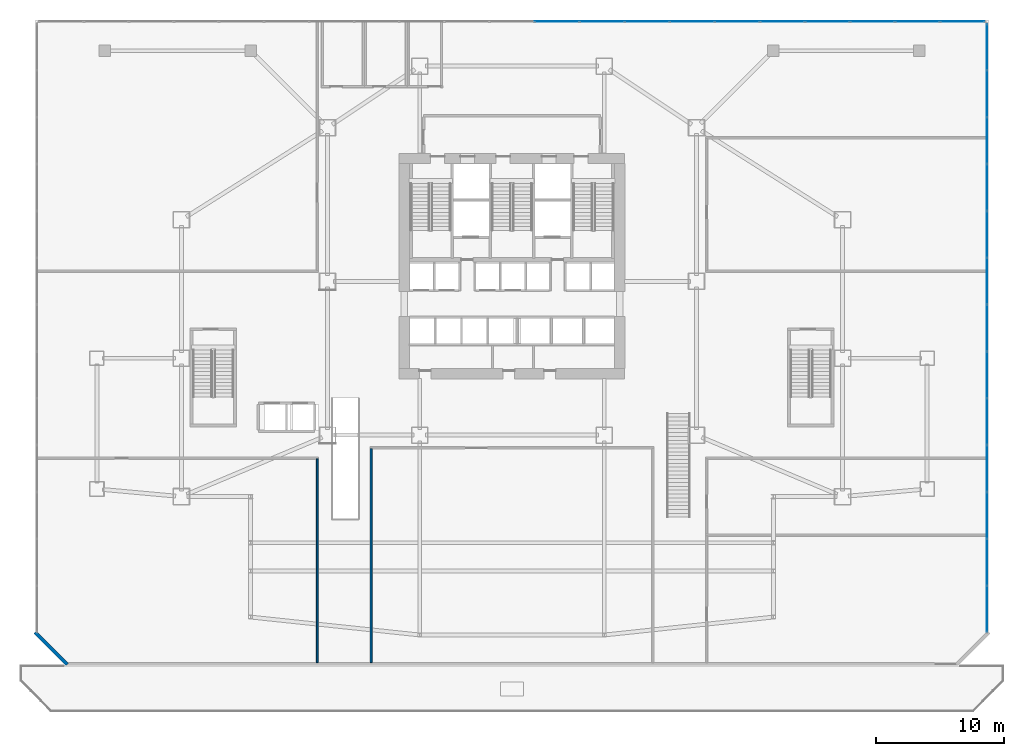
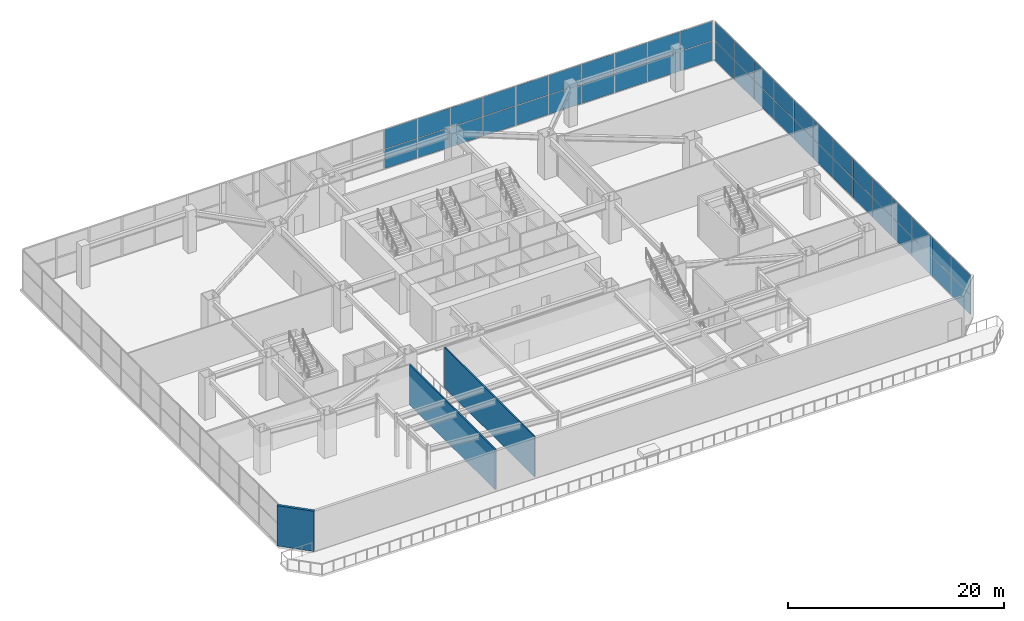
# One storey, part 23 of 31: 46 plates, 3 walls, 2 elements without a shape of their own.
"""IFC4 building model written with IfcOpenShell, lengths in metres."""

from ifc_helpers import new_model, si_unit, direction, frame, frame_2d, origin, origin_2d, place, context, subcontext, project, spatial, rectangle, extrude, material, layer, layer_set, type_object, element, aggregate, save


model = new_model("IFC4")

# Units and contexts
model_context = context("Model", 3, precision=1e-05, world=origin(), true_north=direction((0.0, 1.0)))
body_context = subcontext(model_context, "Body", "Model", "MODEL_VIEW")
ifc_project = project(units=[si_unit("LENGTHUNIT", "METRE"), si_unit("AREAUNIT", "SQUARE_METRE"), si_unit("VOLUMEUNIT", "CUBIC_METRE"), si_unit("PLANEANGLEUNIT", "RADIAN"), si_unit("MASSUNIT", "GRAM", prefix="KILO")], contexts=[model_context])

# Site, building, storey
site_placement = place(None, origin())
site = spatial("IfcSite", under=ifc_project, at=site_placement, CompositionType="ELEMENT")
building_placement = place(site_placement, origin())
building = spatial("IfcBuilding", under=site, at=building_placement, Name="Haolan Belvedere Tower", CompositionType="ELEMENT")
storey_placement = place(building_placement, frame((0.0, 0.0, 5.39990234375)))
storey = spatial("IfcBuildingStorey", under=building, at=storey_placement, Name="L01", CompositionType="ELEMENT", Elevation=5.39990234375)

# Curtain wall, plates
ifc_material_1 = material(Name="Anodised champagne-silver aluminium 6063-T6 and Low-E glass", Category="aluminium")
ifc_layer_1 = layer(ifc_material_1, 0.179931640625, Name="Anodised champagne-silver aluminium 6063-T6 and Low-E glass")
ifc_layer_set_1 = layer_set([ifc_layer_1], Name="Anodised champagne-silver aluminium 6063-T6 and Low-E glass")
curtain_wall_type = type_object("IfcCurtainWallType", Name="CW-SYS-01", PredefinedType="NOTDEFINED", material=ifc_layer_set_1)
curtain_wall_1_placement = place(storey_placement, origin())
curtain_wall_1 = element("IfcCurtainWall", 1, at=curtain_wall_1_placement, inside=storey, type_object=curtain_wall_type, Name="L01 CW-SYS-01 ribbon curtain wall 2.1", PredefinedType="NOTDEFINED")
ifc_material_2 = material(Name="Double silver Low-E laminated insulating glass", Category="glass")
ifc_layer_2 = layer(ifc_material_2, 0.028076171875, Name="Double silver Low-E laminated insulating glass")
ifc_layer_set_2 = layer_set([ifc_layer_2], Name="Double silver Low-E laminated insulating glass")
plate_type = type_object("IfcPlateType", Name="CW-SYS-01-PNL", PredefinedType="CURTAIN_PANEL", material=ifc_layer_set_2)
plate_1_placement = place(storey_placement, frame((75.469970703125, 8.038330078125, 0.06005859375), z_axis=(0.0, 0.0, 1.0), x_axis=(0.0, 1.0, 0.0)))
plate_1 = element("IfcPlate", 2, at=plate_1_placement, type_object=plate_type, Name="CW-01 panel 1.1", PredefinedType="CURTAIN_PANEL", context=body_context, shape_type="SweptSolid", body=[
    extrude(rectangle(XDim=3.55908203125, YDim=0.028076171875, at=origin_2d()), origin(), (0.0, 0.0, 1.0), 2.18994140625),
])
plate_2_placement = place(storey_placement, frame((75.469970703125, 8.038330078125, 2.31005859375), z_axis=(0.0, 0.0, 1.0), x_axis=(0.0, 1.0, 0.0)))
plate_2 = element("IfcPlate", 3, at=plate_2_placement, type_object=plate_type, Name="CW-01 panel 1.2", PredefinedType="CURTAIN_PANEL", context=body_context, shape_type="SweptSolid", body=[
    extrude(rectangle(XDim=3.55908203125, YDim=0.028076171875, at=origin_2d()), origin(), (0.0, 0.0, 1.0), 2.18994140625),
])
plate_3_placement = place(storey_placement, frame((75.469970703125, 11.6787109375, 0.06005859375), z_axis=(0.0, 0.0, 1.0), x_axis=(0.0, 1.0, 0.0)))
plate_3 = element("IfcPlate", 4, at=plate_3_placement, type_object=plate_type, Name="CW-01 panel 2.1", PredefinedType="CURTAIN_PANEL", context=body_context, shape_type="SweptSolid", body=[
    extrude(rectangle(XDim=3.591552734375, YDim=0.028076171875, at=origin_2d()), origin(), (0.0, 0.0, 1.0), 2.18994140625),
])
plate_4_placement = place(storey_placement, frame((75.469970703125, 11.6787109375, 2.31005859375), z_axis=(0.0, 0.0, 1.0), x_axis=(0.0, 1.0, 0.0)))
plate_4 = element("IfcPlate", 5, at=plate_4_placement, type_object=plate_type, Name="CW-01 panel 2.2", PredefinedType="CURTAIN_PANEL", context=body_context, shape_type="SweptSolid", body=[
    extrude(rectangle(XDim=3.591552734375, YDim=0.028076171875, at=origin_2d()), origin(), (0.0, 0.0, 1.0), 2.18994140625),
])
plate_5_placement = place(storey_placement, frame((75.469970703125, 15.33544921875, 0.06005859375), z_axis=(0.0, 0.0, 1.0), x_axis=(0.0, 1.0, 0.0)))
plate_5 = element("IfcPlate", 6, at=plate_5_placement, type_object=plate_type, Name="CW-01 panel 3.1", PredefinedType="CURTAIN_PANEL", context=body_context, shape_type="SweptSolid", body=[
    extrude(rectangle(XDim=3.591552734375, YDim=0.028076171875, at=origin_2d()), origin(), (0.0, 0.0, 1.0), 2.18994140625),
])
plate_6_placement = place(storey_placement, frame((75.469970703125, 15.33544921875, 2.31005859375), z_axis=(0.0, 0.0, 1.0), x_axis=(0.0, 1.0, 0.0)))
plate_6 = element("IfcPlate", 7, at=plate_6_placement, type_object=plate_type, Name="CW-01 panel 3.2", PredefinedType="CURTAIN_PANEL", context=body_context, shape_type="SweptSolid", body=[
    extrude(rectangle(XDim=3.591552734375, YDim=0.028076171875, at=origin_2d()), origin(), (0.0, 0.0, 1.0), 2.18994140625),
])
plate_7_placement = place(storey_placement, frame((75.469970703125, 18.991943359375, 0.06005859375), z_axis=(0.0, 0.0, 1.0), x_axis=(0.0, 1.0, 0.0)))
plate_7 = element("IfcPlate", 8, at=plate_7_placement, type_object=plate_type, Name="CW-01 panel 4.1", PredefinedType="CURTAIN_PANEL", context=body_context, shape_type="SweptSolid", body=[
    extrude(rectangle(XDim=3.591552734375, YDim=0.028076171875, at=origin_2d()), origin(), (0.0, 0.0, 1.0), 2.18994140625),
])
plate_8_placement = place(storey_placement, frame((75.469970703125, 18.991943359375, 2.31005859375), z_axis=(0.0, 0.0, 1.0), x_axis=(0.0, 1.0, 0.0)))
plate_8 = element("IfcPlate", 9, at=plate_8_placement, type_object=plate_type, Name="CW-01 panel 4.2", PredefinedType="CURTAIN_PANEL", context=body_context, shape_type="SweptSolid", body=[
    extrude(rectangle(XDim=3.591552734375, YDim=0.028076171875, at=origin_2d()), origin(), (0.0, 0.0, 1.0), 2.18994140625),
])
plate_9_placement = place(storey_placement, frame((75.469970703125, 22.648681640625, 0.06005859375), z_axis=(0.0, 0.0, 1.0), x_axis=(0.0, 1.0, 0.0)))
plate_9 = element("IfcPlate", 10, at=plate_9_placement, type_object=plate_type, Name="CW-01 panel 5.1", PredefinedType="CURTAIN_PANEL", context=body_context, shape_type="SweptSolid", body=[
    extrude(rectangle(XDim=3.591552734375, YDim=0.028076171875, at=origin_2d()), origin(), (0.0, 0.0, 1.0), 2.18994140625),
])
plate_10_placement = place(storey_placement, frame((75.469970703125, 22.648681640625, 2.31005859375), z_axis=(0.0, 0.0, 1.0), x_axis=(0.0, 1.0, 0.0)))
plate_10 = element("IfcPlate", 11, at=plate_10_placement, type_object=plate_type, Name="CW-01 panel 5.2", PredefinedType="CURTAIN_PANEL", context=body_context, shape_type="SweptSolid", body=[
    extrude(rectangle(XDim=3.591552734375, YDim=0.028076171875, at=origin_2d()), origin(), (0.0, 0.0, 1.0), 2.18994140625),
])
plate_11_placement = place(storey_placement, frame((75.469970703125, 26.30517578125, 0.06005859375), z_axis=(0.0, 0.0, 1.0), x_axis=(0.0, 1.0, 0.0)))
plate_11 = element("IfcPlate", 12, at=plate_11_placement, type_object=plate_type, Name="CW-01 panel 6.1", PredefinedType="CURTAIN_PANEL", context=body_context, shape_type="SweptSolid", body=[
    extrude(rectangle(XDim=3.591552734375, YDim=0.028076171875, at=origin_2d()), origin(), (0.0, 0.0, 1.0), 2.18994140625),
])
plate_12_placement = place(storey_placement, frame((75.469970703125, 26.30517578125, 2.31005859375), z_axis=(0.0, 0.0, 1.0), x_axis=(0.0, 1.0, 0.0)))
plate_12 = element("IfcPlate", 13, at=plate_12_placement, type_object=plate_type, Name="CW-01 panel 6.2", PredefinedType="CURTAIN_PANEL", context=body_context, shape_type="SweptSolid", body=[
    extrude(rectangle(XDim=3.591552734375, YDim=0.028076171875, at=origin_2d()), origin(), (0.0, 0.0, 1.0), 2.18994140625),
])
plate_13_placement = place(storey_placement, frame((75.469970703125, 29.9619140625, 0.06005859375), z_axis=(0.0, 0.0, 1.0), x_axis=(0.0, 1.0, 0.0)))
plate_13 = element("IfcPlate", 14, at=plate_13_placement, type_object=plate_type, Name="CW-01 panel 7.1", PredefinedType="CURTAIN_PANEL", context=body_context, shape_type="SweptSolid", body=[
    extrude(rectangle(XDim=3.591552734375, YDim=0.028076171875, at=origin_2d()), origin(), (0.0, 0.0, 1.0), 2.18994140625),
])
plate_14_placement = place(storey_placement, frame((75.469970703125, 29.9619140625, 2.31005859375), z_axis=(0.0, 0.0, 1.0), x_axis=(0.0, 1.0, 0.0)))
plate_14 = element("IfcPlate", 15, at=plate_14_placement, type_object=plate_type, Name="CW-01 panel 7.2", PredefinedType="CURTAIN_PANEL", context=body_context, shape_type="SweptSolid", body=[
    extrude(rectangle(XDim=3.591552734375, YDim=0.028076171875, at=origin_2d()), origin(), (0.0, 0.0, 1.0), 2.18994140625),
])
plate_15_placement = place(storey_placement, frame((75.469970703125, 33.61865234375, 0.06005859375), z_axis=(0.0, 0.0, 1.0), x_axis=(0.0, 1.0, 0.0)))
plate_15 = element("IfcPlate", 16, at=plate_15_placement, type_object=plate_type, Name="CW-01 panel 8.1", PredefinedType="CURTAIN_PANEL", context=body_context, shape_type="SweptSolid", body=[
    extrude(rectangle(XDim=3.591552734375, YDim=0.028076171875, at=origin_2d()), origin(), (0.0, 0.0, 1.0), 2.18994140625),
])
plate_16_placement = place(storey_placement, frame((75.469970703125, 33.61865234375, 2.31005859375), z_axis=(0.0, 0.0, 1.0), x_axis=(0.0, 1.0, 0.0)))
plate_16 = element("IfcPlate", 17, at=plate_16_placement, type_object=plate_type, Name="CW-01 panel 8.2", PredefinedType="CURTAIN_PANEL", context=body_context, shape_type="SweptSolid", body=[
    extrude(rectangle(XDim=3.591552734375, YDim=0.028076171875, at=origin_2d()), origin(), (0.0, 0.0, 1.0), 2.18994140625),
])
plate_17_placement = place(storey_placement, frame((75.469970703125, 37.275146484375, 0.06005859375), z_axis=(0.0, 0.0, 1.0), x_axis=(0.0, 1.0, 0.0)))
plate_17 = element("IfcPlate", 18, at=plate_17_placement, type_object=plate_type, Name="CW-01 panel 9.1", PredefinedType="CURTAIN_PANEL", context=body_context, shape_type="SweptSolid", body=[
    extrude(rectangle(XDim=3.591552734375, YDim=0.028076171875, at=origin_2d()), origin(), (0.0, 0.0, 1.0), 2.18994140625),
])
plate_18_placement = place(storey_placement, frame((75.469970703125, 37.275146484375, 2.31005859375), z_axis=(0.0, 0.0, 1.0), x_axis=(0.0, 1.0, 0.0)))
plate_18 = element("IfcPlate", 19, at=plate_18_placement, type_object=plate_type, Name="CW-01 panel 9.2", PredefinedType="CURTAIN_PANEL", context=body_context, shape_type="SweptSolid", body=[
    extrude(rectangle(XDim=3.591552734375, YDim=0.028076171875, at=origin_2d()), origin(), (0.0, 0.0, 1.0), 2.18994140625),
])
plate_19_placement = place(storey_placement, frame((75.469970703125, 40.931884765625, 0.06005859375), z_axis=(0.0, 0.0, 1.0), x_axis=(0.0, 1.0, 0.0)))
plate_19 = element("IfcPlate", 20, at=plate_19_placement, type_object=plate_type, Name="CW-01 panel 10.1", PredefinedType="CURTAIN_PANEL", context=body_context, shape_type="SweptSolid", body=[
    extrude(rectangle(XDim=3.591552734375, YDim=0.028076171875, at=origin_2d()), origin(), (0.0, 0.0, 1.0), 2.18994140625),
])
plate_20_placement = place(storey_placement, frame((75.469970703125, 40.931884765625, 2.31005859375), z_axis=(0.0, 0.0, 1.0), x_axis=(0.0, 1.0, 0.0)))
plate_20 = element("IfcPlate", 21, at=plate_20_placement, type_object=plate_type, Name="CW-01 panel 10.2", PredefinedType="CURTAIN_PANEL", context=body_context, shape_type="SweptSolid", body=[
    extrude(rectangle(XDim=3.591552734375, YDim=0.028076171875, at=origin_2d()), origin(), (0.0, 0.0, 1.0), 2.18994140625),
])
plate_21_placement = place(storey_placement, frame((75.469970703125, 44.58837890625, 0.06005859375), z_axis=(0.0, 0.0, 1.0), x_axis=(0.0, 1.0, 0.0)))
plate_21 = element("IfcPlate", 22, at=plate_21_placement, type_object=plate_type, Name="CW-01 panel 11.1", PredefinedType="CURTAIN_PANEL", context=body_context, shape_type="SweptSolid", body=[
    extrude(rectangle(XDim=3.591552734375, YDim=0.028076171875, at=origin_2d()), origin(), (0.0, 0.0, 1.0), 2.18994140625),
])
plate_22_placement = place(storey_placement, frame((75.469970703125, 44.58837890625, 2.31005859375), z_axis=(0.0, 0.0, 1.0), x_axis=(0.0, 1.0, 0.0)))
plate_22 = element("IfcPlate", 23, at=plate_22_placement, type_object=plate_type, Name="CW-01 panel 11.2", PredefinedType="CURTAIN_PANEL", context=body_context, shape_type="SweptSolid", body=[
    extrude(rectangle(XDim=3.591552734375, YDim=0.028076171875, at=origin_2d()), origin(), (0.0, 0.0, 1.0), 2.18994140625),
])
plate_23_placement = place(storey_placement, frame((75.469970703125, 48.2451171875, 0.06005859375), z_axis=(0.0, 0.0, 1.0), x_axis=(0.0, 1.0, 0.0)))
plate_23 = element("IfcPlate", 24, at=plate_23_placement, type_object=plate_type, Name="CW-01 panel 12.1", PredefinedType="CURTAIN_PANEL", context=body_context, shape_type="SweptSolid", body=[
    extrude(rectangle(XDim=3.591552734375, YDim=0.028076171875, at=origin_2d()), origin(), (0.0, 0.0, 1.0), 2.18994140625),
])
plate_24_placement = place(storey_placement, frame((75.469970703125, 48.2451171875, 2.31005859375), z_axis=(0.0, 0.0, 1.0), x_axis=(0.0, 1.0, 0.0)))
plate_24 = element("IfcPlate", 25, at=plate_24_placement, type_object=plate_type, Name="CW-01 panel 12.2", PredefinedType="CURTAIN_PANEL", context=body_context, shape_type="SweptSolid", body=[
    extrude(rectangle(XDim=3.591552734375, YDim=0.028076171875, at=origin_2d()), origin(), (0.0, 0.0, 1.0), 2.18994140625),
])
plate_25_placement = place(storey_placement, frame((75.469970703125, 51.885498046875, 0.06005859375), z_axis=(0.0, 0.0, 1.0), x_axis=(0.0, 1.0, 0.0)))
plate_25 = element("IfcPlate", 26, at=plate_25_placement, type_object=plate_type, Name="CW-01 panel 13.1", PredefinedType="CURTAIN_PANEL", context=body_context, shape_type="SweptSolid", body=[
    extrude(rectangle(XDim=3.55908203125, YDim=0.028076171875, at=origin_2d()), origin(), (0.0, 0.0, 1.0), 2.18994140625),
])
plate_26_placement = place(storey_placement, frame((75.469970703125, 51.885498046875, 2.31005859375), z_axis=(0.0, 0.0, 1.0), x_axis=(0.0, 1.0, 0.0)))
plate_26 = element("IfcPlate", 27, at=plate_26_placement, type_object=plate_type, Name="CW-01 panel 13.2", PredefinedType="CURTAIN_PANEL", context=body_context, shape_type="SweptSolid", body=[
    extrude(rectangle(XDim=3.55908203125, YDim=0.028076171875, at=origin_2d()), origin(), (0.0, 0.0, 1.0), 2.18994140625),
])
aggregate(curtain_wall_1, [plate_1, plate_2, plate_3, plate_4, plate_5, plate_6, plate_7, plate_8, plate_9, plate_10, plate_11, plate_12, plate_13, plate_14, plate_15, plate_16, plate_17, plate_18, plate_19, plate_20, plate_21, plate_22, plate_23, plate_24, plate_25, plate_26])

curtain_wall_2_placement = place(storey_placement, origin())
curtain_wall_2 = element("IfcCurtainWall", 28, at=curtain_wall_2_placement, inside=storey, type_object=curtain_wall_type, Name="L01 CW-SYS-01 ribbon curtain wall 3.1", PredefinedType="NOTDEFINED")
plate_27_placement = place(storey_placement, frame((73.55517578125, 53.8701171875, 0.06005859375), z_axis=(0.0, 0.0, 1.0), x_axis=(-1.0, 0.0, 0.0)))
plate_27 = element("IfcPlate", 29, at=plate_27_placement, type_object=plate_type, Name="CW-01 panel 1.1", PredefinedType="CURTAIN_PANEL", context=body_context, shape_type="SweptSolid", body=[
    extrude(rectangle(XDim=3.419677734375, YDim=0.028076171875, at=origin_2d()), origin(), (0.0, 0.0, 1.0), 2.18994140625),
])
plate_28_placement = place(storey_placement, frame((73.55517578125, 53.8701171875, 2.31005859375), z_axis=(0.0, 0.0, 1.0), x_axis=(-1.0, 0.0, 0.0)))
plate_28 = element("IfcPlate", 30, at=plate_28_placement, type_object=plate_type, Name="CW-01 panel 1.2", PredefinedType="CURTAIN_PANEL", context=body_context, shape_type="SweptSolid", body=[
    extrude(rectangle(XDim=3.419677734375, YDim=0.028076171875, at=origin_2d()), origin(), (0.0, 0.0, 1.0), 2.18994140625),
])
plate_29_placement = place(storey_placement, frame((70.05419921875, 53.8701171875, 0.06005859375), z_axis=(0.0, 0.0, 1.0), x_axis=(-1.0, 0.0, 0.0)))
plate_29 = element("IfcPlate", 31, at=plate_29_placement, type_object=plate_type, Name="CW-01 panel 2.1", PredefinedType="CURTAIN_PANEL", context=body_context, shape_type="SweptSolid", body=[
    extrude(rectangle(XDim=3.4521484375, YDim=0.028076171875, at=origin_2d()), origin(), (0.0, 0.0, 1.0), 2.18994140625),
])
plate_30_placement = place(storey_placement, frame((70.05419921875, 53.8701171875, 2.31005859375), z_axis=(0.0, 0.0, 1.0), x_axis=(-1.0, 0.0, 0.0)))
plate_30 = element("IfcPlate", 32, at=plate_30_placement, type_object=plate_type, Name="CW-01 panel 2.2", PredefinedType="CURTAIN_PANEL", context=body_context, shape_type="SweptSolid", body=[
    extrude(rectangle(XDim=3.4521484375, YDim=0.028076171875, at=origin_2d()), origin(), (0.0, 0.0, 1.0), 2.18994140625),
])
plate_31_placement = place(storey_placement, frame((66.537109375, 53.8701171875, 0.06005859375), z_axis=(0.0, 0.0, 1.0), x_axis=(-1.0, 0.0, 0.0)))
plate_31 = element("IfcPlate", 33, at=plate_31_placement, type_object=plate_type, Name="CW-01 panel 3.1", PredefinedType="CURTAIN_PANEL", context=body_context, shape_type="SweptSolid", body=[
    extrude(rectangle(XDim=3.4521484375, YDim=0.028076171875, at=origin_2d()), origin(), (0.0, 0.0, 1.0), 2.18994140625),
])
plate_32_placement = place(storey_placement, frame((66.537109375, 53.8701171875, 2.31005859375), z_axis=(0.0, 0.0, 1.0), x_axis=(-1.0, 0.0, 0.0)))
plate_32 = element("IfcPlate", 34, at=plate_32_placement, type_object=plate_type, Name="CW-01 panel 3.2", PredefinedType="CURTAIN_PANEL", context=body_context, shape_type="SweptSolid", body=[
    extrude(rectangle(XDim=3.4521484375, YDim=0.028076171875, at=origin_2d()), origin(), (0.0, 0.0, 1.0), 2.18994140625),
])
plate_33_placement = place(storey_placement, frame((63.02001953125, 53.8701171875, 0.06005859375), z_axis=(0.0, 0.0, 1.0), x_axis=(-1.0, 0.0, 0.0)))
plate_33 = element("IfcPlate", 35, at=plate_33_placement, type_object=plate_type, Name="CW-01 panel 4.1", PredefinedType="CURTAIN_PANEL", context=body_context, shape_type="SweptSolid", body=[
    extrude(rectangle(XDim=3.4521484375, YDim=0.028076171875, at=origin_2d()), origin(), (0.0, 0.0, 1.0), 2.18994140625),
])
plate_34_placement = place(storey_placement, frame((63.02001953125, 53.8701171875, 2.31005859375), z_axis=(0.0, 0.0, 1.0), x_axis=(-1.0, 0.0, 0.0)))
plate_34 = element("IfcPlate", 36, at=plate_34_placement, type_object=plate_type, Name="CW-01 panel 4.2", PredefinedType="CURTAIN_PANEL", context=body_context, shape_type="SweptSolid", body=[
    extrude(rectangle(XDim=3.4521484375, YDim=0.028076171875, at=origin_2d()), origin(), (0.0, 0.0, 1.0), 2.18994140625),
])
plate_35_placement = place(storey_placement, frame((59.5029296875, 53.8701171875, 0.06005859375), z_axis=(0.0, 0.0, 1.0), x_axis=(-1.0, 0.0, 0.0)))
plate_35 = element("IfcPlate", 37, at=plate_35_placement, type_object=plate_type, Name="CW-01 panel 5.1", PredefinedType="CURTAIN_PANEL", context=body_context, shape_type="SweptSolid", body=[
    extrude(rectangle(XDim=3.4521484375, YDim=0.028076171875, at=origin_2d()), origin(), (0.0, 0.0, 1.0), 2.18994140625),
])
plate_36_placement = place(storey_placement, frame((59.5029296875, 53.8701171875, 2.31005859375), z_axis=(0.0, 0.0, 1.0), x_axis=(-1.0, 0.0, 0.0)))
plate_36 = element("IfcPlate", 38, at=plate_36_placement, type_object=plate_type, Name="CW-01 panel 5.2", PredefinedType="CURTAIN_PANEL", context=body_context, shape_type="SweptSolid", body=[
    extrude(rectangle(XDim=3.4521484375, YDim=0.028076171875, at=origin_2d()), origin(), (0.0, 0.0, 1.0), 2.18994140625),
])
plate_37_placement = place(storey_placement, frame((55.985595703125, 53.8701171875, 0.06005859375), z_axis=(0.0, 0.0, 1.0), x_axis=(-1.0, 0.0, 0.0)))
plate_37 = element("IfcPlate", 39, at=plate_37_placement, type_object=plate_type, Name="CW-01 panel 6.1", PredefinedType="CURTAIN_PANEL", context=body_context, shape_type="SweptSolid", body=[
    extrude(rectangle(XDim=3.4521484375, YDim=0.028076171875, at=origin_2d()), origin(), (0.0, 0.0, 1.0), 2.18994140625),
])
plate_38_placement = place(storey_placement, frame((55.985595703125, 53.8701171875, 2.31005859375), z_axis=(0.0, 0.0, 1.0), x_axis=(-1.0, 0.0, 0.0)))
plate_38 = element("IfcPlate", 40, at=plate_38_placement, type_object=plate_type, Name="CW-01 panel 6.2", PredefinedType="CURTAIN_PANEL", context=body_context, shape_type="SweptSolid", body=[
    extrude(rectangle(XDim=3.4521484375, YDim=0.028076171875, at=origin_2d()), origin(), (0.0, 0.0, 1.0), 2.18994140625),
])
plate_39_placement = place(storey_placement, frame((52.468505859375, 53.8701171875, 0.06005859375), z_axis=(0.0, 0.0, 1.0), x_axis=(-1.0, 0.0, 0.0)))
plate_39 = element("IfcPlate", 41, at=plate_39_placement, type_object=plate_type, Name="CW-01 panel 7.1", PredefinedType="CURTAIN_PANEL", context=body_context, shape_type="SweptSolid", body=[
    extrude(rectangle(XDim=3.4521484375, YDim=0.028076171875, at=origin_2d()), origin(), (0.0, 0.0, 1.0), 2.18994140625),
])
plate_40_placement = place(storey_placement, frame((52.468505859375, 53.8701171875, 2.31005859375), z_axis=(0.0, 0.0, 1.0), x_axis=(-1.0, 0.0, 0.0)))
plate_40 = element("IfcPlate", 42, at=plate_40_placement, type_object=plate_type, Name="CW-01 panel 7.2", PredefinedType="CURTAIN_PANEL", context=body_context, shape_type="SweptSolid", body=[
    extrude(rectangle(XDim=3.4521484375, YDim=0.028076171875, at=origin_2d()), origin(), (0.0, 0.0, 1.0), 2.18994140625),
])
plate_41_placement = place(storey_placement, frame((48.951416015625, 53.8701171875, 0.06005859375), z_axis=(0.0, 0.0, 1.0), x_axis=(-1.0, 0.0, 0.0)))
plate_41 = element("IfcPlate", 43, at=plate_41_placement, type_object=plate_type, Name="CW-01 panel 8.1", PredefinedType="CURTAIN_PANEL", context=body_context, shape_type="SweptSolid", body=[
    extrude(rectangle(XDim=3.4521484375, YDim=0.028076171875, at=origin_2d()), origin(), (0.0, 0.0, 1.0), 2.18994140625),
])
plate_42_placement = place(storey_placement, frame((48.951416015625, 53.8701171875, 2.31005859375), z_axis=(0.0, 0.0, 1.0), x_axis=(-1.0, 0.0, 0.0)))
plate_42 = element("IfcPlate", 44, at=plate_42_placement, type_object=plate_type, Name="CW-01 panel 8.2", PredefinedType="CURTAIN_PANEL", context=body_context, shape_type="SweptSolid", body=[
    extrude(rectangle(XDim=3.4521484375, YDim=0.028076171875, at=origin_2d()), origin(), (0.0, 0.0, 1.0), 2.18994140625),
])
plate_43_placement = place(storey_placement, frame((45.434326171875, 53.8701171875, 0.06005859375), z_axis=(0.0, 0.0, 1.0), x_axis=(-1.0, 0.0, 0.0)))
plate_43 = element("IfcPlate", 45, at=plate_43_placement, type_object=plate_type, Name="CW-01 panel 9.1", PredefinedType="CURTAIN_PANEL", context=body_context, shape_type="SweptSolid", body=[
    extrude(rectangle(XDim=3.4521484375, YDim=0.028076171875, at=origin_2d()), origin(), (0.0, 0.0, 1.0), 2.18994140625),
])
plate_44_placement = place(storey_placement, frame((45.434326171875, 53.8701171875, 2.31005859375), z_axis=(0.0, 0.0, 1.0), x_axis=(-1.0, 0.0, 0.0)))
plate_44 = element("IfcPlate", 46, at=plate_44_placement, type_object=plate_type, Name="CW-01 panel 9.2", PredefinedType="CURTAIN_PANEL", context=body_context, shape_type="SweptSolid", body=[
    extrude(rectangle(XDim=3.4521484375, YDim=0.028076171875, at=origin_2d()), origin(), (0.0, 0.0, 1.0), 2.18994140625),
])
plate_45_placement = place(storey_placement, frame((41.917236328125, 53.8701171875, 0.06005859375), z_axis=(0.0, 0.0, 1.0), x_axis=(-1.0, 0.0, 0.0)))
plate_45 = element("IfcPlate", 47, at=plate_45_placement, type_object=plate_type, Name="CW-01 panel 10.1", PredefinedType="CURTAIN_PANEL", context=body_context, shape_type="SweptSolid", body=[
    extrude(rectangle(XDim=3.4521484375, YDim=0.028076171875, at=origin_2d()), origin(), (0.0, 0.0, 1.0), 2.18994140625),
])
plate_46_placement = place(storey_placement, frame((41.917236328125, 53.8701171875, 2.31005859375), z_axis=(0.0, 0.0, 1.0), x_axis=(-1.0, 0.0, 0.0)))
plate_46 = element("IfcPlate", 48, at=plate_46_placement, type_object=plate_type, Name="CW-01 panel 10.2", PredefinedType="CURTAIN_PANEL", context=body_context, shape_type="SweptSolid", body=[
    extrude(rectangle(XDim=3.4521484375, YDim=0.028076171875, at=origin_2d()), origin(), (0.0, 0.0, 1.0), 2.18994140625),
])
aggregate(curtain_wall_2, [plate_27, plate_28, plate_29, plate_30, plate_31, plate_32, plate_33, plate_34, plate_35, plate_36, plate_37, plate_38, plate_39, plate_40, plate_41, plate_42, plate_43, plate_44, plate_45, plate_46])

# Walls
ifc_material_3 = material(Name="Precast concrete C40/50", Category="concrete")
ifc_layer_3 = layer(ifc_material_3, 0.260009765625, Name="Precast concrete C40/50")
ifc_layer_set_3 = layer_set([ifc_layer_3], Name="Precast concrete C40/50")
wall_type_1 = type_object("IfcWallType", Name="WL-EXT-260", PredefinedType="SOLIDWALL", material=ifc_layer_set_3)
wall_1_placement = place(storey_placement, frame((1.1708984375, 6.212890625, 0.0), z_axis=(0.0, 0.0, 1.0), x_axis=(0.707106781187, -0.707106781187, 0.0)))
element("IfcWall", 49, at=wall_1_placement, inside=storey, type_object=wall_type_1, Name="L01 pale-metal exterior spandrel wall 5.1", PredefinedType="SOLIDWALL", context=body_context, shape_type="SweptSolid", body=[
    extrude(rectangle(XDim=3.566162109375, YDim=0.260009765625, at=frame_2d((1.783203125, 0.0))), origin(), (0.0, 0.0, 1.0), 4.56005859375),
])
ifc_material_4 = material(Name="Double gypsum acoustic stud partition", Category="masonry")
ifc_layer_4 = layer(ifc_material_4, 0.14990234375, Name="Double gypsum acoustic stud partition")
ifc_layer_set_4 = layer_set([ifc_layer_4], Name="Double gypsum acoustic stud partition")
wall_type_2 = type_object("IfcWallType", Name="WL-PART-150", PredefinedType="PARTITIONING", material=ifc_layer_set_4)
wall_2_placement = place(storey_placement, frame((27.39990234375, 3.844970703125, 0.0), z_axis=(0.0, 0.0, 1.0), x_axis=(0.0, 1.0, 0.0)))
element("IfcWall", 50, at=wall_2_placement, inside=storey, type_object=wall_type_2, Name="L01 interior partition IW-L01-ADD-W", PredefinedType="PARTITIONING", context=body_context, shape_type="SweptSolid", body=[
    extrude(rectangle(XDim=16.695068359375, YDim=0.14990234375, at=frame_2d((8.34765625, 0.0))), origin(), (0.0, 0.0, 1.0), 4.56005859375),
])
wall_3_placement = place(storey_placement, frame((23.199951171875, 3.844970703125, 0.0), z_axis=(0.0, 0.0, 1.0), x_axis=(0.0, 1.0, 0.0)))
element("IfcWall", 51, at=wall_3_placement, inside=storey, type_object=wall_type_2, Name="L01 interior partition IW-L01-CANT-E", PredefinedType="PARTITIONING", context=body_context, shape_type="SweptSolid", body=[
    extrude(rectangle(XDim=15.89501953125, YDim=0.14990234375, at=frame_2d((7.947509765625, 0.0))), origin(), (0.0, 0.0, 1.0), 4.56005859375),
])

save(model, "model.ifc")
